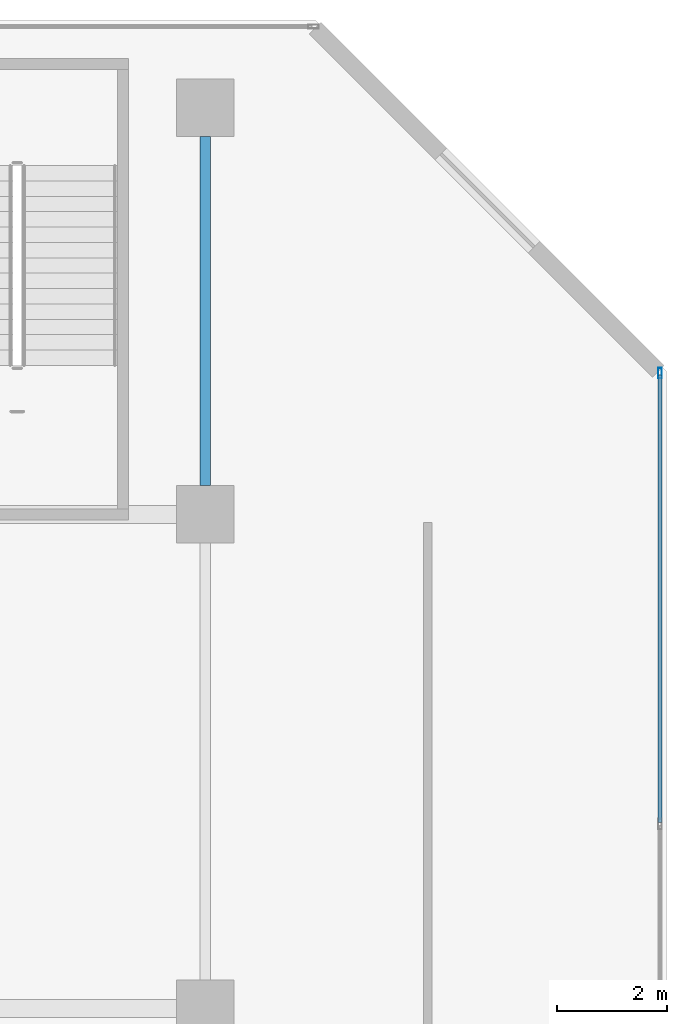
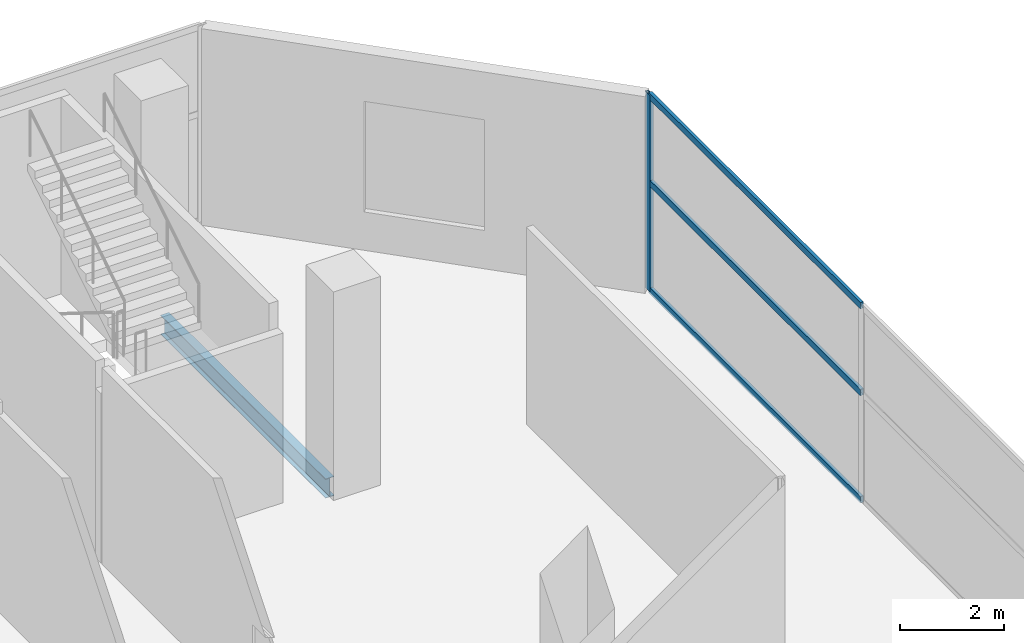
# One storey, part 29 of 39: 4 members, 1 beam, 1 element without a shape of its own.
"""IFC4 building model written with IfcOpenShell, lengths in metres."""

import ifcopenshell
import ifcopenshell.guid

model = None  # the IFC model being written
_history = None  # IfcOwnerHistory: only IFC2X3 demands one
_inside = {}  # id of a spatial element -> (the spatial element, [elements in it])
_under = {}  # id of a project, library or spatial element -> (it, [spatial elements below it])
_declared = {}  # id of a project -> (the project, [libraries it declares])
_typed = {}  # id of a type object -> (the type object, [elements of that type])
_made_of = {}  # id of a material, layer set ... -> (it, [elements and type objects made of it])


def new_model(schema):
    """Start an empty IFC model of exactly this schema.

    Asked for "IFC4X3", IfcOpenShell would pick the latest addendum, in which some entities
    have other attributes; the version numbers below select the first issue.
    IFC2X3 requires an IfcOwnerHistory on every rooted entity: one is made here for all.
    """
    global model, _history
    if schema == "IFC4X3":
        model = ifcopenshell.file(schema_version=(4, 3, 0, 0))
    else:
        model = ifcopenshell.file(schema=schema)
    _inside.clear()
    _under.clear()
    _declared.clear()
    _typed.clear()
    _made_of.clear()
    _history = None
    if model.schema == "IFC2X3":
        org = make("IfcOrganization", Name="unknown")
        user = make(
            "IfcPersonAndOrganization",
            ThePerson=make("IfcPerson", FamilyName="unknown"),
            TheOrganization=org,
        )
        app = make(
            "IfcApplication",
            ApplicationDeveloper=org,
            Version="unknown",
            ApplicationFullName="unknown",
            ApplicationIdentifier="unknown",
        )
        _history = make(
            "IfcOwnerHistory",
            OwningUser=user,
            OwningApplication=app,
            ChangeAction="ADDED",
            CreationDate=0,
        )
    return model


def make(cls, **values):
    """One entity of the class cls with the attributes given. An attribute that is None is left unset."""
    return model.create_entity(
        cls, **{name: value for name, value in values.items() if value is not None}
    )


def rooted(cls, **values):
    """An entity with a GlobalId (a new one), such as an element, a storey or a relation."""
    return make(cls, GlobalId=ifcopenshell.guid.new(), OwnerHistory=_history, **values)


def si_unit(unit_type, name, prefix=None):
    """IfcSIUnit, for example si_unit("LENGTHUNIT", "METRE", prefix="MILLI")."""
    return make("IfcSIUnit", UnitType=unit_type, Prefix=prefix, Name=name)


def assignment(units):
    """IfcUnitAssignment: the units of a project."""
    return None if units is None else make("IfcUnitAssignment", Units=units)


def point(xyz):
    """IfcCartesianPoint."""
    return None if xyz is None else make("IfcCartesianPoint", Coordinates=xyz)


def direction(xyz):
    """IfcDirection."""
    return None if xyz is None else make("IfcDirection", DirectionRatios=xyz)


def frame(location, z_axis=None, x_axis=None):
    """IfcAxis2Placement3D, a coordinate frame: its origin and axes. An axis left out is left unset."""
    return make(
        "IfcAxis2Placement3D",
        Location=point(location),
        Axis=direction(z_axis),
        RefDirection=direction(x_axis),
    )


def frame_2d(location, x_axis=None):
    """IfcAxis2Placement2D, a coordinate frame in the plane: its origin and x axis."""
    return make(
        "IfcAxis2Placement2D", Location=point(location), RefDirection=direction(x_axis)
    )


def origin():
    """The frame at (0, 0, 0) with its axes left unset."""
    return frame((0.0, 0.0, 0.0))


def origin_2d():
    """The frame at (0, 0) in the plane with its x axis left unset."""
    return frame_2d((0.0, 0.0))


def place(relative_to, where):
    """IfcLocalPlacement: puts the frame where relative to a parent placement (None: the world)."""
    return make(
        "IfcLocalPlacement", PlacementRelTo=relative_to, RelativePlacement=where
    )


def context(
    kind, dimensions, precision=None, world=None, true_north=None, identifier=None
):
    """IfcGeometricRepresentationContext, for example the 3D "Model" context."""
    return make(
        "IfcGeometricRepresentationContext",
        ContextIdentifier=identifier,
        ContextType=kind,
        CoordinateSpaceDimension=dimensions,
        Precision=precision,
        WorldCoordinateSystem=world,
        TrueNorth=true_north,
    )


def subcontext(parent, identifier, kind, view, scale=None):
    """IfcGeometricRepresentationSubContext, for example "Body" below "Model"."""
    return make(
        "IfcGeometricRepresentationSubContext",
        ContextIdentifier=identifier,
        ContextType=kind,
        ParentContext=parent,
        TargetScale=scale,
        TargetView=view,
    )


def project(units=None, contexts=None):
    """IfcProject with its units and contexts."""
    return rooted(
        "IfcProject",
        Name="project",
        RepresentationContexts=contexts,
        UnitsInContext=assignment(units),
    )


def spatial(cls, under=None, at=None, **own):
    """A site, building, storey or space (cls), placed at a placement, below another one or the project."""
    s = rooted(cls, ObjectPlacement=at, **own)
    if under is not None:
        _under.setdefault(under.id(), (under, []))[1].append(s)
    return s


def profile(cls, at=None, kind="AREA", **sizes):
    """A parametric profile (cls). Its sizes go by their IFC names, for example OverallWidth=200.0."""
    return make(cls, ProfileType=kind, Position=at, **sizes)


def hollow_rectangle(**sizes):
    """IfcRectangleHollowProfileDef."""
    return profile("IfcRectangleHollowProfileDef", **sizes)


def i_section(**sizes):
    """IfcIShapeProfileDef."""
    return profile("IfcIShapeProfileDef", **sizes)


def extrude(swept, where, along, depth):
    """IfcExtrudedAreaSolid: the profile swept, set in the frame where, extruded along a direction by depth."""
    return make(
        "IfcExtrudedAreaSolid",
        SweptArea=swept,
        Position=where,
        ExtrudedDirection=direction(along),
        Depth=depth,
    )


def shape(context_of_items, identifier, shape_type, items):
    """IfcShapeRepresentation: the items that make up one representation, for example the "Body"."""
    return make(
        "IfcShapeRepresentation",
        ContextOfItems=context_of_items,
        RepresentationIdentifier=identifier,
        RepresentationType=shape_type,
        Items=items,
    )


def material(Name=None, Category=None):
    """IfcMaterial."""
    return make("IfcMaterial", Name=Name, Category=Category)


def layer(
    of_material, thickness, ventilated=None, Name=None, Category=None, Priority=None
):
    """IfcMaterialLayer: one layer of a wall or slab, of a material (None: an air gap)."""
    return make(
        "IfcMaterialLayer",
        Material=of_material,
        LayerThickness=thickness,
        IsVentilated=ventilated,
        Name=Name,
        Category=Category,
        Priority=Priority,
    )


def layer_set(layers, Name=None):
    """IfcMaterialLayerSet."""
    return make("IfcMaterialLayerSet", MaterialLayers=layers, LayerSetName=Name)


def material_profile(
    of_material, cross_section, Name=None, Category=None, Priority=None
):
    """IfcMaterialProfile: a cross section and its material."""
    return make(
        "IfcMaterialProfile",
        Name=Name,
        Material=of_material,
        Profile=cross_section,
        Priority=Priority,
        Category=Category,
    )


def profile_set(profiles, Name=None, composite=None):
    """IfcMaterialProfileSet."""
    return make(
        "IfcMaterialProfileSet",
        Name=Name,
        MaterialProfiles=profiles,
        CompositeProfile=composite,
    )


def made_of(thing, what):
    """Note that an element or type object is made of a material, layer set ...; save() writes the relation."""
    if what is not None:
        _made_of.setdefault(what.id(), (what, []))[1].append(thing)
    return thing


def type_object(cls, material=None, **own):
    """A type object (cls), such as IfcWallType, which elements share."""
    return made_of(rooted(cls, **own), material)


def element(
    cls,
    number,
    at=None,
    inside=None,
    cuts=None,
    type_object=None,
    material=None,
    context=None,
    identifier="Body",
    shape_type=None,
    held_by="IfcProductDefinitionShape",
    body=None,
    shapes=None,
    **own,
):
    """One element of the class cls, such as IfcWall. Its Tag is "e" and its number.

    at: its placement. inside: the storey or other place that contains it. cuts: it is an
    opening in that element (IfcRelVoidsElement). A single representation is given by context,
    identifier, shape_type and body (its items); several are given by shapes. held_by: the class
    of the entity that holds the representations. save() writes the other relations.
    """
    e = rooted(cls, Tag="e%d" % number, ObjectPlacement=at, **own)
    if body is not None:
        shapes = [shape(context, identifier, shape_type, body)]
    if shapes is not None:
        e.Representation = make(held_by, Representations=shapes)
    if inside is not None:
        _inside.setdefault(inside.id(), (inside, []))[1].append(e)
    if cuts is not None:
        rooted(
            "IfcRelVoidsElement", RelatingBuildingElement=cuts, RelatedOpeningElement=e
        )
    if type_object is not None:
        _typed.setdefault(type_object.id(), (type_object, []))[1].append(e)
    return made_of(e, material)


def aggregate(whole, parts):
    """IfcRelAggregates: a whole, such as a stair, and the parts it consists of."""
    return rooted("IfcRelAggregates", RelatingObject=whole, RelatedObjects=parts)


def save(model, path):
    """Write the relations noted so far, then the file.

    IfcRelAggregates (storeys below a building ...), IfcRelContainedInSpatialStructure (elements
    in a storey), IfcRelDefinesByType, IfcRelAssociatesMaterial and IfcRelDeclares: one each for
    every whole, place, type object, material and project.
    """
    for whole, parts in _under.values():
        aggregate(whole, parts)
    for where, things in _inside.values():
        rooted(
            "IfcRelContainedInSpatialStructure",
            RelatedElements=things,
            RelatingStructure=where,
        )
    for kind, things in _typed.values():
        rooted("IfcRelDefinesByType", RelatedObjects=things, RelatingType=kind)
    for what, things in _made_of.values():
        rooted("IfcRelAssociatesMaterial", RelatedObjects=things, RelatingMaterial=what)
    for by, libraries in _declared.values():
        rooted("IfcRelDeclares", RelatingContext=by, RelatedDefinitions=libraries)
    model.write(path)


model = new_model("IFC4")

# Units and contexts
model_context = context("Model", 3, precision=1e-05, world=origin(), true_north=direction((0.0, 1.0)))
body_context = subcontext(model_context, "Body", "Model", "MODEL_VIEW")
ifc_project = project(units=[si_unit("LENGTHUNIT", "METRE"), si_unit("AREAUNIT", "SQUARE_METRE"), si_unit("VOLUMEUNIT", "CUBIC_METRE"), si_unit("PLANEANGLEUNIT", "RADIAN"), si_unit("MASSUNIT", "GRAM", prefix="KILO")], contexts=[model_context])

# Site, building, storey
site_placement = place(None, origin())
site = spatial("IfcSite", under=ifc_project, at=site_placement, CompositionType="ELEMENT")
building_placement = place(site_placement, origin())
building = spatial("IfcBuilding", under=site, at=building_placement, Name="Maruvema Waterfront Hotel and Observation Tower", CompositionType="ELEMENT")
storey_placement = place(building_placement, frame((0.0, 0.0, 16.449951171875)))
storey = spatial("IfcBuildingStorey", under=building, at=storey_placement, Name="L03", CompositionType="ELEMENT", Elevation=16.449951171875)

# Curtain wall, members
ifc_material_1 = material(Name="Anodised bronze aluminium and solar-control low-E IGU", Category="aluminium")
ifc_layer = layer(ifc_material_1, 0.159912109375, Name="Podium Waterfront Storefront Curtain Wall System CW-01")
ifc_layer_set = layer_set([ifc_layer], Name="Anodised bronze aluminium and solar-control low-E IGU")
curtain_wall_type = type_object("IfcCurtainWallType", Name="Podium Waterfront Storefront Curtain Wall System CW-01", PredefinedType="USERDEFINED", material=ifc_layer_set)
curtain_wall_placement = place(storey_placement, origin())
curtain_wall = element("IfcCurtainWall", 1, at=curtain_wall_placement, inside=storey, type_object=curtain_wall_type, Name="L03 Curtain Wall CW-L03-E", ObjectType="UNITISED CURTAIN WALL", PredefinedType="USERDEFINED")
ifc_material_2 = material(Name="Anodised architectural bronze aluminium", Category="aluminium")
ifc_material_profile_1 = material_profile(ifc_material_2, hollow_rectangle(XDim=0.070068359375, YDim=0.14990234375, WallThickness=0.00390625, at=origin_2d()), Name="ALU-T70x150")
ifc_profile_set_1 = profile_set([ifc_material_profile_1], Name="Anodised architectural bronze aluminium")
member_type_1 = type_object("IfcMemberType", Name="Curtain Wall Horizontal Transom ALU-T70x150", PredefinedType="USERDEFINED", material=ifc_profile_set_1)
member_1_placement = place(storey_placement, frame((75.47998046875, 39.389892578125, 0.030029296875), z_axis=(0.0, 1.0, 0.0), x_axis=(-1.0, 0.0, 0.0)))
member_1 = element("IfcMember", 2, at=member_1_placement, type_object=member_type_1, Name="CW-01 transom 5.1", ObjectType="TRANSOM", PredefinedType="USERDEFINED", context=body_context, shape_type="SweptSolid", body=[
    extrude(hollow_rectangle(XDim=0.070068359375, YDim=0.14990234375, WallThickness=0.00390625, at=origin_2d()), origin(), (0.0, 0.0, 1.0), 8.150146484375),
])
member_2_placement = place(storey_placement, frame((75.47998046875, 39.389892578125, 2.550048828125), z_axis=(0.0, 1.0, 0.0), x_axis=(-1.0, 0.0, 0.0)))
member_2 = element("IfcMember", 3, at=member_2_placement, type_object=member_type_1, Name="CW-01 transom 5.2", ObjectType="TRANSOM", PredefinedType="USERDEFINED", context=body_context, shape_type="SweptSolid", body=[
    extrude(hollow_rectangle(XDim=0.070068359375, YDim=0.14990234375, WallThickness=0.00390625, at=origin_2d()), origin(), (0.0, 0.0, 1.0), 8.150146484375),
])
member_3_placement = place(storey_placement, frame((75.47998046875, 39.389892578125, 4.590087890625), z_axis=(0.0, 1.0, 0.0), x_axis=(-1.0, 0.0, 0.0)))
member_3 = element("IfcMember", 4, at=member_3_placement, type_object=member_type_1, Name="CW-01 transom 5.3", ObjectType="TRANSOM", PredefinedType="USERDEFINED", context=body_context, shape_type="SweptSolid", body=[
    extrude(hollow_rectangle(XDim=0.070068359375, YDim=0.14990234375, WallThickness=0.00390625, at=origin_2d()), origin(), (0.0, 0.0, 1.0), 8.150146484375),
])

# Beam
ifc_material_3 = material(Name="Steel ASTM A572 Grade 50", Category="steel")
ifc_material_profile_2 = material_profile(ifc_material_3, i_section(OverallWidth=0.18994140625, OverallDepth=0.45703125, WebThickness=0.009033203125, FlangeThickness=0.014404296875, FilletRadius=0.014892578125, at=origin_2d()), Name="W460x74.0")
ifc_profile_set_2 = profile_set([ifc_material_profile_2], Name="Steel ASTM A572 Grade 50")
beam_type = type_object("IfcBeamType", Name="Perimeter Spandrel Beam W460x74.0", PredefinedType="SPANDREL", material=ifc_profile_set_2)
beam_placement = place(storey_placement, frame((67.199951171875, 45.52490234375, -0.508544921875), z_axis=(0.0, 1.0, 0.0), x_axis=(-1.0, 0.0, 0.0)))
element("IfcBeam", 5, at=beam_placement, inside=storey, type_object=beam_type, Name="L03 Floor Girder NS-34", PredefinedType="SPANDREL", context=body_context, shape_type="SweptSolid", body=[
    extrude(i_section(OverallWidth=0.18994140625, OverallDepth=0.45703125, WebThickness=0.009033203125, FlangeThickness=0.014404296875, FilletRadius=0.014892578125, at=origin_2d()), origin(), (0.0, 0.0, 1.0), 6.35009765625),
])

# Member
ifc_material_4 = material(Name="Anodised architectural bronze aluminium", Category="aluminium")
ifc_material_profile_3 = material_profile(ifc_material_4, hollow_rectangle(XDim=0.070068359375, YDim=0.18994140625, WallThickness=0.00390625, at=origin_2d()), Name="ALU-M70x190")
ifc_profile_set_3 = profile_set([ifc_material_profile_3], Name="Anodised architectural bronze aluminium")
member_type_2 = type_object("IfcMemberType", Name="Podium Storefront Heavy Mullion ALU-M70x190", PredefinedType="MULLION", material=ifc_profile_set_3)
member_4_placement = place(storey_placement, frame((75.47998046875, 47.570068359375, 0.0), z_axis=(0.0, 0.0, 1.0), x_axis=(-1.0, 0.0, 0.0)))
member_4 = element("IfcMember", 6, at=member_4_placement, type_object=member_type_2, Name="CW-01 mullion 6", PredefinedType="MULLION", context=body_context, shape_type="SweptSolid", body=[
    extrude(hollow_rectangle(XDim=0.070068359375, YDim=0.18994140625, WallThickness=0.00390625, at=origin_2d()), origin(), (0.0, 0.0, 1.0), 4.6201171875),
])

aggregate(curtain_wall, [member_4, member_1, member_2, member_3])

save(model, "model.ifc")
